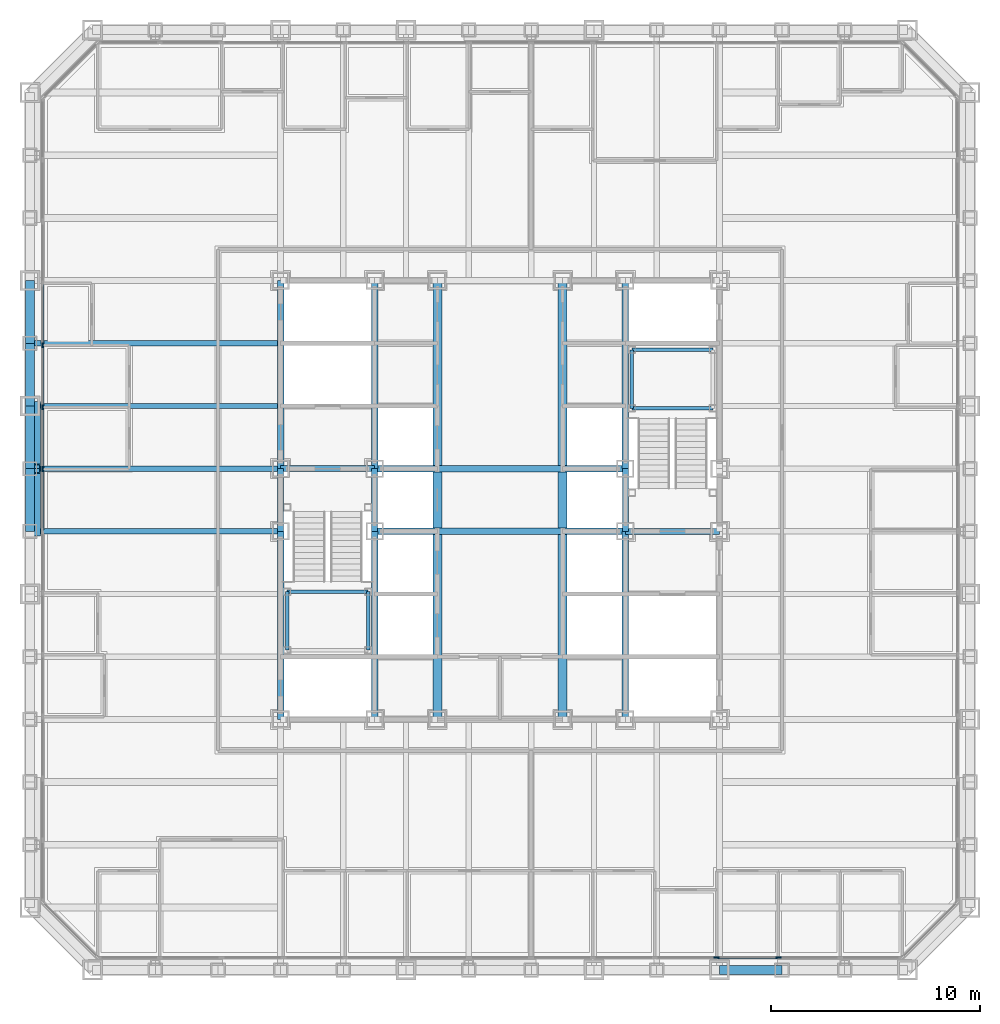
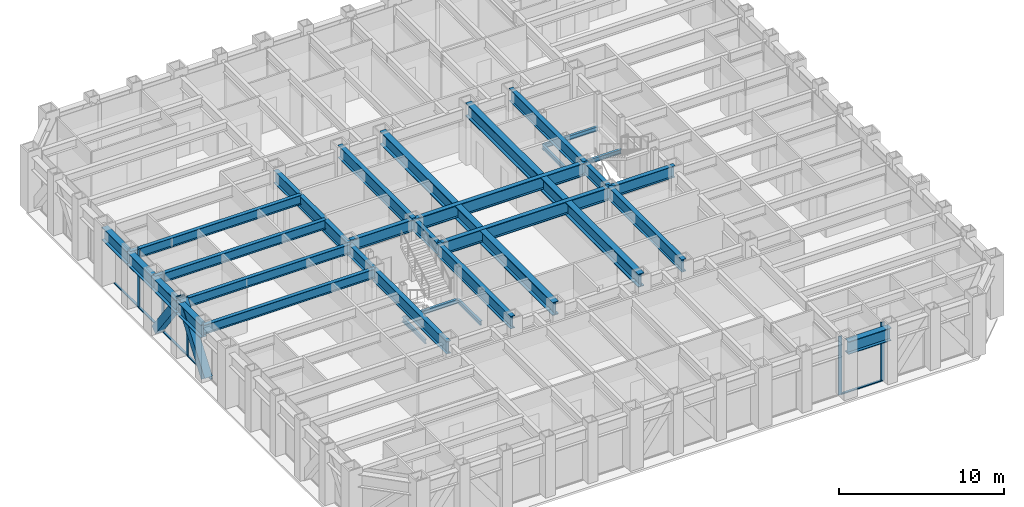
# One storey, part 3 of 16: 34 beams, 12 members, 2 elements without a shape of their own.
"""IFC4 building model written with IfcOpenShell, lengths in metres."""

from ifc_helpers import new_model, si_unit, direction, frame, origin, origin_2d, place, context, subcontext, project, spatial, rectangle, hollow_rectangle, i_section, extrude, material, layer, layer_set, material_profile, profile_set, type_object, element, aggregate, save


model = new_model("IFC4")

# Units and contexts
model_context = context("Model", 3, precision=1e-05, world=origin(), true_north=direction((0.0, 1.0)))
body_context = subcontext(model_context, "Body", "Model", "MODEL_VIEW")
ifc_project = project(units=[si_unit("LENGTHUNIT", "METRE"), si_unit("AREAUNIT", "SQUARE_METRE"), si_unit("VOLUMEUNIT", "CUBIC_METRE"), si_unit("PLANEANGLEUNIT", "RADIAN"), si_unit("MASSUNIT", "GRAM", prefix="KILO")], contexts=[model_context])

# Site, building, storey
site_placement = place(None, origin())
site = spatial("IfcSite", under=ifc_project, at=site_placement, CompositionType="ELEMENT")
building_placement = place(site_placement, origin())
building = spatial("IfcBuilding", under=site, at=building_placement, Name="Chuquiago Exchange Tower", CompositionType="ELEMENT")
storey_placement = place(building_placement, frame((0.0, 0.0, 55.800048828125)))
storey = spatial("IfcBuildingStorey", under=building, at=storey_placement, Name="L11", CompositionType="ELEMENT", Elevation=55.800048828125)

# Beams
ifc_material_1 = material(Name="Steel ASTM A992", Category="steel")
ifc_material_profile_1 = material_profile(ifc_material_1, i_section(OverallWidth=0.307373046875, OverallDepth=0.927001953125, WebThickness=0.01953125, FlangeThickness=0.031982421875, at=origin_2d()), Name="W36X194")
ifc_profile_set_1 = profile_set([ifc_material_profile_1], Name="Steel ASTM A992")
beam_type_1 = type_object("IfcBeamType", Name="B10 W36X194", PredefinedType="BEAM", material=ifc_profile_set_1)
for number, where, z_axis, x_axis, name in (
    (1, (12.0, 12.0, 3.576416015625), (0.0, 1.0, 0.0), (-1.0, 0.0, 0.0), "CB-L12-12_12-12_21"),
    (2, (12.0, 24.0, 3.576416015625), (0.0, 1.0, 0.0), (-1.0, 0.0, 0.0), "CB-L12-12_24-12_33"),
    (3, (16.5, 12.0, 3.87646484375), (0.0, 1.0, 0.0), (-1.0, 0.0, 0.0), "CB-L12-16.5_12-16.5_21"),
    (4, (16.5, 24.0, 3.87646484375), (0.0, 1.0, 0.0), (-1.0, 0.0, 0.0), "CB-L12-16.5_24-16.5_33"),
    (5, (28.5, 12.0, 3.87646484375), (0.0, 1.0, 0.0), (-1.0, 0.0, 0.0), "CB-L12-28.5_12-28.5_21"),
    (6, (28.5, 24.0, 3.87646484375), (0.0, 1.0, 0.0), (-1.0, 0.0, 0.0), "CB-L12-28.5_24-28.5_33"),
):
    element("IfcBeam", number, at=place(storey_placement, frame(where, z_axis=z_axis, x_axis=x_axis)), inside=storey, type_object=beam_type_1, Name=name, PredefinedType="BEAM", context=body_context, shape_type="SweptSolid", body=[
        extrude(i_section(OverallWidth=0.307373046875, OverallDepth=0.927001953125, WebThickness=0.01953125, FlangeThickness=0.031982421875, at=origin_2d()), origin(), (0.0, 0.0, 1.0), 9.0),
    ])
ifc_material_2 = material(Name="Steel ASTM A992", Category="steel")
ifc_material_profile_2 = material_profile(ifc_material_2, i_section(OverallWidth=0.309814453125, OverallDepth=0.949951171875, WebThickness=0.0244140625, FlangeThickness=0.0439453125, at=origin_2d()), Name="W36X256")
ifc_profile_set_2 = profile_set([ifc_material_profile_2], Name="Steel ASTM A992")
beam_type_2 = type_object("IfcBeamType", Name="B11 W36X256", PredefinedType="BEAM", material=ifc_profile_set_2)
for number, where, z_axis, x_axis, name in (
    (7, (16.5, 21.0, 3.864990234375), (1.0, 0.0, 0.0), (0.0, 1.0, 0.0), "CB-L12-16.5_21-28.5_21"),
    (8, (16.5, 24.0, 3.864990234375), (1.0, 0.0, 0.0), (0.0, 1.0, 0.0), "CB-L12-16.5_24-28.5_24"),
):
    element("IfcBeam", number, at=place(storey_placement, frame(where, z_axis=z_axis, x_axis=x_axis)), inside=storey, type_object=beam_type_2, Name=name, PredefinedType="BEAM", context=body_context, shape_type="SweptSolid", body=[
        extrude(i_section(OverallWidth=0.309814453125, OverallDepth=0.949951171875, WebThickness=0.0244140625, FlangeThickness=0.0439453125, at=origin_2d()), origin(), (0.0, 0.0, 1.0), 12.0),
    ])
ifc_material_3 = material(Name="Steel ASTM A992", Category="steel")
ifc_material_profile_3 = material_profile(ifc_material_3, i_section(OverallWidth=0.4267578125, OverallDepth=0.975341796875, WebThickness=0.031005859375, FlangeThickness=0.055908203125, at=origin_2d()), Name="W36X395")
ifc_profile_set_3 = profile_set([ifc_material_profile_3], Name="Steel ASTM A992")
beam_type_3 = type_object("IfcBeamType", Name="B12 W36X395", PredefinedType="BEAM", material=ifc_profile_set_3)
beam_1_placement = place(storey_placement, frame((19.5, 12.0, 3.852294921875), z_axis=(0.0, 1.0, 0.0), x_axis=(-1.0, 0.0, 0.0)))
element("IfcBeam", 9, at=beam_1_placement, inside=storey, type_object=beam_type_3, Name="CB-L12-19.5_12-19.5_20.8451", PredefinedType="BEAM", context=body_context, shape_type="SweptSolid", body=[
    extrude(i_section(OverallWidth=0.4267578125, OverallDepth=0.975341796875, WebThickness=0.031005859375, FlangeThickness=0.055908203125, at=origin_2d()), origin(), (0.0, 0.0, 1.0), 8.84521484375),
])
beam_2_placement = place(storey_placement, frame((19.5, 21.15478515625, 3.852294921875), z_axis=(0.0, 1.0, 0.0), x_axis=(-1.0, 0.0, 0.0)))
element("IfcBeam", 10, at=beam_2_placement, inside=storey, type_object=beam_type_3, Name="CB-L12-19.5_21.1549-19.5_23.8451", PredefinedType="BEAM", context=body_context, shape_type="SweptSolid", body=[
    extrude(i_section(OverallWidth=0.4267578125, OverallDepth=0.975341796875, WebThickness=0.031005859375, FlangeThickness=0.055908203125, at=origin_2d()), origin(), (0.0, 0.0, 1.0), 2.6904296875),
])
for number, where, z_axis, x_axis, name in (
    (11, (19.5, 24.15478515625, 3.852294921875), (0.0, 1.0, 0.0), (-1.0, 0.0, 0.0), "CB-L12-19.5_24.1549-19.5_33"),
    (12, (25.5, 12.0, 3.852294921875), (0.0, 1.0, 0.0), (-1.0, 0.0, 0.0), "CB-L12-25.5_12-25.5_20.8451"),
):
    element("IfcBeam", number, at=place(storey_placement, frame(where, z_axis=z_axis, x_axis=x_axis)), inside=storey, type_object=beam_type_3, Name=name, PredefinedType="BEAM", context=body_context, shape_type="SweptSolid", body=[
        extrude(i_section(OverallWidth=0.4267578125, OverallDepth=0.975341796875, WebThickness=0.031005859375, FlangeThickness=0.055908203125, at=origin_2d()), origin(), (0.0, 0.0, 1.0), 8.84521484375),
    ])
beam_3_placement = place(storey_placement, frame((25.5, 21.15478515625, 3.852294921875), z_axis=(0.0, 1.0, 0.0), x_axis=(-1.0, 0.0, 0.0)))
element("IfcBeam", 13, at=beam_3_placement, inside=storey, type_object=beam_type_3, Name="CB-L12-25.5_21.1549-25.5_23.8451", PredefinedType="BEAM", context=body_context, shape_type="SweptSolid", body=[
    extrude(i_section(OverallWidth=0.4267578125, OverallDepth=0.975341796875, WebThickness=0.031005859375, FlangeThickness=0.055908203125, at=origin_2d()), origin(), (0.0, 0.0, 1.0), 2.6904296875),
])
beam_4_placement = place(storey_placement, frame((25.5, 24.15478515625, 3.852294921875), z_axis=(0.0, 1.0, 0.0), x_axis=(-1.0, 0.0, 0.0)))
element("IfcBeam", 14, at=beam_4_placement, inside=storey, type_object=beam_type_3, Name="CB-L12-25.5_24.1549-25.5_33", PredefinedType="BEAM", context=body_context, shape_type="SweptSolid", body=[
    extrude(i_section(OverallWidth=0.4267578125, OverallDepth=0.975341796875, WebThickness=0.031005859375, FlangeThickness=0.055908203125, at=origin_2d()), origin(), (0.0, 0.0, 1.0), 8.84521484375),
])
ifc_material_4 = material(Name="Steel ASTM A992", Category="steel")
ifc_material_profile_4 = material_profile(ifc_material_4, i_section(OverallWidth=0.2919921875, OverallDepth=0.8583984375, WebThickness=0.01708984375, FlangeThickness=0.031005859375, at=origin_2d()), Name="W33X169")
ifc_profile_set_4 = profile_set([ifc_material_profile_4], Name="Steel ASTM A992")
beam_type_4 = type_object("IfcBeamType", Name="B3 W33X169", PredefinedType="BEAM", material=ifc_profile_set_4)
for number, where, z_axis, x_axis, name in (
    (15, (12.0, 21.0, 3.610595703125), (0.0, 1.0, 0.0), (-1.0, 0.0, 0.0), "CB-L12-12_21-12_24"),
    (16, (16.5, 21.0, 3.91064453125), (0.0, 1.0, 0.0), (-1.0, 0.0, 0.0), "CB-L12-16.5_21-16.5_24"),
    (17, (28.5, 21.0, 3.91064453125), (0.0, 1.0, 0.0), (-1.0, 0.0, 0.0), "CB-L12-28.5_21-28.5_24"),
):
    element("IfcBeam", number, at=place(storey_placement, frame(where, z_axis=z_axis, x_axis=x_axis)), inside=storey, type_object=beam_type_4, Name=name, PredefinedType="BEAM", context=body_context, shape_type="SweptSolid", body=[
        extrude(i_section(OverallWidth=0.2919921875, OverallDepth=0.8583984375, WebThickness=0.01708984375, FlangeThickness=0.031005859375, at=origin_2d()), origin(), (0.0, 0.0, 1.0), 3.0),
    ])
for number, where, z_axis, x_axis, name in (
    (18, (28.5, 21.0, 3.91064453125), (1.0, 0.0, 0.0), (0.0, 1.0, 0.0), "CB-L12-28.5_21-33_21"),
    (19, (12.0, 24.0, 3.91064453125), (1.0, 0.0, 0.0), (0.0, 1.0, 0.0), "CB-L12-12_24-16.5_24"),
):
    element("IfcBeam", number, at=place(storey_placement, frame(where, z_axis=z_axis, x_axis=x_axis)), inside=storey, type_object=beam_type_4, Name=name, PredefinedType="BEAM", context=body_context, shape_type="SweptSolid", body=[
        extrude(i_section(OverallWidth=0.2919921875, OverallDepth=0.8583984375, WebThickness=0.01708984375, FlangeThickness=0.031005859375, at=origin_2d()), origin(), (0.0, 0.0, 1.0), 4.5),
    ])
ifc_material_5 = material(Name="Steel ASTM A992", Category="steel")
ifc_material_profile_5 = material_profile(ifc_material_5, i_section(OverallWidth=0.256591796875, OverallDepth=0.693359375, WebThickness=0.014404296875, FlangeThickness=0.023681640625, at=origin_2d()), Name="W27X114")
ifc_profile_set_5 = profile_set([ifc_material_profile_5], Name="Steel ASTM A992")
beam_type_5 = type_object("IfcBeamType", Name="B4 W27X114", PredefinedType="BEAM", material=ifc_profile_set_5)
for number, where, z_axis, x_axis, name in (
    (20, (12.0, 21.0, 3.693359375), (-1.0, 0.0, 0.0), (0.0, -1.0, 0.0), "FB-L12-infill-12_21--0_21-0"),
    (21, (12.0, 24.0, 3.693359375), (-1.0, 0.0, 0.0), (0.0, -1.0, 0.0), "FB-L12-infill-12_24--0_24-0"),
    (22, (12.0, 27.0, 3.693359375), (-1.0, 0.0, 0.0), (0.0, -1.0, 0.0), "FB-L12-infill-12_27--0_27-0"),
    (23, (12.0, 30.0, 3.693359375), (-1.0, 0.0, 0.0), (0.0, -1.0, 0.0), "FB-L12-infill-12_30--0_30-0"),
):
    element("IfcBeam", number, at=place(storey_placement, frame(where, z_axis=z_axis, x_axis=x_axis)), inside=storey, type_object=beam_type_5, Name=name, PredefinedType="BEAM", context=body_context, shape_type="SweptSolid", body=[
        extrude(i_section(OverallWidth=0.256591796875, OverallDepth=0.693359375, WebThickness=0.014404296875, FlangeThickness=0.023681640625, at=origin_2d()), origin(), (0.0, 0.0, 1.0), 12.0),
    ])

# Curtain wall, members
ifc_material_6 = material(Name="Aluminium curtain wall system", Category="aluminium")
ifc_layer = layer(ifc_material_6, 0.25)
ifc_layer_set = layer_set([ifc_layer], Name="CW1 trading floor curtain wall")
curtain_wall_type = type_object("IfcCurtainWallType", Name="CW1 trading floor curtain wall", PredefinedType="NOTDEFINED", material=ifc_layer_set)
curtain_wall_1_placement = place(storey_placement, origin())
curtain_wall_1 = element("IfcCurtainWall", 24, at=curtain_wall_1_placement, inside=storey, type_object=curtain_wall_type, Name="CW1 curtain wall L11", PredefinedType="NOTDEFINED")
ifc_material_7 = material(Name="Aluminium mullion, pale anodised", Category="aluminium")
ifc_material_profile_6 = material_profile(ifc_material_7, rectangle(XDim=0.074951171875, YDim=0.25, at=origin_2d()), Name="AL 75x250")
ifc_profile_set_6 = profile_set([ifc_material_profile_6], Name="Aluminium mullion, pale anodised")
member_type_1 = type_object("IfcMemberType", Name="CW1-M mullion 75x250", PredefinedType="MULLION", material=ifc_profile_set_6)
member_1_placement = place(storey_placement, frame((32.8662109375, 0.60009765625, -0.300048828125), z_axis=(0.0, 0.0, 1.0), x_axis=(0.0, 1.0, 0.0)))
member_1 = element("IfcMember", 25, at=member_1_placement, type_object=member_type_1, Name="CW1 mullion 11", PredefinedType="MULLION", context=body_context, shape_type="SweptSolid", body=[
    extrude(rectangle(XDim=0.074951171875, YDim=0.25, at=origin_2d()), origin(), (0.0, 0.0, 1.0), 4.340087890625),
])
member_2_placement = place(storey_placement, frame((35.827880859375, 0.60009765625, -0.300048828125), z_axis=(0.0, 0.0, 1.0), x_axis=(0.0, 1.0, 0.0)))
member_2 = element("IfcMember", 26, at=member_2_placement, type_object=member_type_1, Name="CW1 mullion 12", PredefinedType="MULLION", context=body_context, shape_type="SweptSolid", body=[
    extrude(rectangle(XDim=0.074951171875, YDim=0.25, at=origin_2d()), origin(), (0.0, 0.0, 1.0), 4.340087890625),
])

curtain_wall_2_placement = place(storey_placement, origin())
curtain_wall_2 = element("IfcCurtainWall", 27, at=curtain_wall_2_placement, inside=storey, type_object=curtain_wall_type, Name="CW1 curtain wall L11", PredefinedType="NOTDEFINED")
member_3_placement = place(storey_placement, frame((0.60009765625, 29.904541015625, -0.300048828125), z_axis=(0.0, 0.0, 1.0), x_axis=(1.0, 0.0, 0.0)))
member_3 = element("IfcMember", 28, at=member_3_placement, type_object=member_type_1, Name="CW1 mullion 5", PredefinedType="MULLION", context=body_context, shape_type="SweptSolid", body=[
    extrude(rectangle(XDim=0.074951171875, YDim=0.25, at=origin_2d()), origin(), (0.0, 0.0, 1.0), 4.340087890625),
])
member_4_placement = place(storey_placement, frame((0.60009765625, 26.942626953125, -0.300048828125), z_axis=(0.0, 0.0, 1.0), x_axis=(1.0, 0.0, 0.0)))
member_4 = element("IfcMember", 29, at=member_4_placement, type_object=member_type_1, Name="CW1 mullion 6", PredefinedType="MULLION", context=body_context, shape_type="SweptSolid", body=[
    extrude(rectangle(XDim=0.074951171875, YDim=0.25, at=origin_2d()), origin(), (0.0, 0.0, 1.0), 4.340087890625),
])
member_5_placement = place(storey_placement, frame((0.60009765625, 23.98095703125, -0.300048828125), z_axis=(0.0, 0.0, 1.0), x_axis=(1.0, 0.0, 0.0)))
member_5 = element("IfcMember", 30, at=member_5_placement, type_object=member_type_1, Name="CW1 mullion 7", PredefinedType="MULLION", context=body_context, shape_type="SweptSolid", body=[
    extrude(rectangle(XDim=0.074951171875, YDim=0.25, at=origin_2d()), origin(), (0.0, 0.0, 1.0), 4.340087890625),
])

# Member
ifc_material_8 = material(Name="Aluminium transom, pale anodised", Category="aluminium")
ifc_material_profile_7 = material_profile(ifc_material_8, rectangle(XDim=0.14990234375, YDim=0.074951171875, at=origin_2d()), Name="AL 150x75")
ifc_profile_set_7 = profile_set([ifc_material_profile_7], Name="Aluminium transom, pale anodised")
member_type_2 = type_object("IfcMemberType", Name="CW1-T transom 75x150", PredefinedType="MULLION", material=ifc_profile_set_7)
member_6_placement = place(storey_placement, frame((32.90380859375, 0.60009765625, -0.262451171875), z_axis=(1.0, 0.0, 0.0), x_axis=(0.0, 1.0, 0.0)))
member_6 = element("IfcMember", 31, at=member_6_placement, type_object=member_type_2, Name="CW1 transom 11.1", PredefinedType="MULLION", context=body_context, shape_type="SweptSolid", body=[
    extrude(rectangle(XDim=0.14990234375, YDim=0.074951171875, at=origin_2d()), origin(), (0.0, 0.0, 1.0), 2.88671875),
])

aggregate(curtain_wall_1, [member_1, member_2, member_6])

member_7_placement = place(storey_placement, frame((0.60009765625, 32.82861328125, -0.262451171875), z_axis=(0.0, -1.0, 0.0), x_axis=(1.0, 0.0, 0.0)))
member_7 = element("IfcMember", 32, at=member_7_placement, type_object=member_type_2, Name="CW1 transom 4.1", PredefinedType="MULLION", context=body_context, shape_type="SweptSolid", body=[
    extrude(rectangle(XDim=0.14990234375, YDim=0.074951171875, at=origin_2d()), origin(), (0.0, 0.0, 1.0), 2.88671875),
])

member_8_placement = place(storey_placement, frame((0.60009765625, 29.866943359375, -0.262451171875), z_axis=(0.0, -1.0, 0.0), x_axis=(1.0, 0.0, 0.0)))
member_8 = element("IfcMember", 33, at=member_8_placement, type_object=member_type_2, Name="CW1 transom 5.1", PredefinedType="MULLION", context=body_context, shape_type="SweptSolid", body=[
    extrude(rectangle(XDim=0.14990234375, YDim=0.074951171875, at=origin_2d()), origin(), (0.0, 0.0, 1.0), 2.88671875),
])

member_9_placement = place(storey_placement, frame((0.60009765625, 26.9052734375, -0.262451171875), z_axis=(0.0, -1.0, 0.0), x_axis=(1.0, 0.0, 0.0)))
member_9 = element("IfcMember", 34, at=member_9_placement, type_object=member_type_2, Name="CW1 transom 6.1", PredefinedType="MULLION", context=body_context, shape_type="SweptSolid", body=[
    extrude(rectangle(XDim=0.14990234375, YDim=0.074951171875, at=origin_2d()), origin(), (0.0, 0.0, 1.0), 2.886962890625),
])

member_10_placement = place(storey_placement, frame((0.60009765625, 23.943359375, -0.262451171875), z_axis=(0.0, -1.0, 0.0), x_axis=(1.0, 0.0, 0.0)))
member_10 = element("IfcMember", 35, at=member_10_placement, type_object=member_type_2, Name="CW1 transom 7.1", PredefinedType="MULLION", context=body_context, shape_type="SweptSolid", body=[
    extrude(rectangle(XDim=0.14990234375, YDim=0.074951171875, at=origin_2d()), origin(), (0.0, 0.0, 1.0), 2.88671875),
])

aggregate(curtain_wall_2, [member_3, member_4, member_5, member_7, member_8, member_9, member_10])

# Beams
ifc_material_9 = material(Name="Steel ASTM A992", Category="steel")
ifc_material_profile_8 = material_profile(ifc_material_9, i_section(OverallWidth=0.164794921875, OverallDepth=0.309814453125, WebThickness=0.005859375, FlangeThickness=0.009765625, at=origin_2d()), Name="W12X26")
ifc_profile_set_8 = profile_set([ifc_material_profile_8], Name="Steel ASTM A992")
beam_type_6 = type_object("IfcBeamType", Name="LS1 W12X26", PredefinedType="BEAM", material=ifc_profile_set_8)
for number, where, z_axis, x_axis, name in (
    (36, (12.31005859375, 15.31005859375, 1.89501953125), (0.0, 1.0, 0.0), (-1.0, 0.0, 0.0), "Stair ST1 L11 landing 1 stringer"),
    (37, (16.18994140625, 15.31005859375, 1.89501953125), (0.0, 1.0, 0.0), (-1.0, 0.0, 0.0), "Stair ST1 L11 landing 1 stringer"),
    (38, (28.81005859375, 26.889892578125, 1.89501953125), (0.0, 1.0, 0.0), (-1.0, 0.0, 0.0), "Stair ST2 L11 landing 1 stringer"),
):
    element("IfcBeam", number, at=place(storey_placement, frame(where, z_axis=z_axis, x_axis=x_axis)), inside=storey, type_object=beam_type_6, Name=name, PredefinedType="BEAM", context=body_context, shape_type="SweptSolid", body=[
        extrude(i_section(OverallWidth=0.164794921875, OverallDepth=0.309814453125, WebThickness=0.005859375, FlangeThickness=0.009765625, at=origin_2d()), origin(), (0.0, 0.0, 1.0), 2.800048828125),
    ])
ifc_material_10 = material(Name="Steel ASTM A992", Category="steel")
ifc_material_profile_9 = material_profile(ifc_material_10, i_section(OverallWidth=0.164794921875, OverallDepth=0.309814453125, WebThickness=0.005859375, FlangeThickness=0.009765625, at=origin_2d()), Name="W12X26")
ifc_profile_set_9 = profile_set([ifc_material_profile_9], Name="Steel ASTM A992")
beam_type_7 = type_object("IfcBeamType", Name="LT1 W12X26", PredefinedType="BEAM", material=ifc_profile_set_9)
for number, where, z_axis, x_axis, name in (
    (39, (12.31005859375, 18.110107421875, 1.89501953125), (1.0, 0.0, 0.0), (0.0, 1.0, 0.0), "Stair ST1 L11 landing 1 trimmer"),
    (40, (28.81005859375, 29.68994140625, 1.89501953125), (1.0, 0.0, 0.0), (0.0, 1.0, 0.0), "Stair ST2 L11 landing 1 trimmer"),
    (41, (28.81005859375, 26.889892578125, 1.89501953125), (1.0, 0.0, 0.0), (0.0, 1.0, 0.0), "Stair ST2 L11 landing 1 trimmer"),
):
    element("IfcBeam", number, at=place(storey_placement, frame(where, z_axis=z_axis, x_axis=x_axis)), inside=storey, type_object=beam_type_7, Name=name, PredefinedType="BEAM", context=body_context, shape_type="SweptSolid", body=[
        extrude(i_section(OverallWidth=0.164794921875, OverallDepth=0.309814453125, WebThickness=0.005859375, FlangeThickness=0.009765625, at=origin_2d()), origin(), (0.0, 0.0, 1.0), 3.8798828125),
    ])

# Members
ifc_material_11 = material(Name="Steel ASTM A572 Grade 50", Category="steel")
ifc_material_profile_10 = material_profile(ifc_material_11, hollow_rectangle(XDim=0.550048828125, YDim=0.550048828125, WallThickness=0.044921875, at=origin_2d()), Name="BOX550X550X45")
ifc_profile_set_10 = profile_set([ifc_material_profile_10], Name="Steel ASTM A572 Grade 50")
member_type_3 = type_object("IfcMemberType", Name="MB1 BOX550X550X45", PredefinedType="BRACE", material=ifc_profile_set_10)
for number, where, z_axis, x_axis, name in (
    (42, (0.22998046875, 27.0, 0.0), (0.0, -0.596173923302, 0.802855312728), (1.0, 0.0, 0.0), "Mega diagonal L11 W face"),
    (43, (0.22998046875, 21.0, 0.0), (0.0, 0.596173923302, 0.802855312728), (-1.0, 0.0, 0.0), "Mega diagonal L11 W face"),
):
    element("IfcMember", number, at=place(storey_placement, frame(where, z_axis=z_axis, x_axis=x_axis)), inside=storey, type_object=member_type_3, Name=name, PredefinedType="BRACE", context=body_context, shape_type="SweptSolid", body=[
        extrude(hollow_rectangle(XDim=0.550048828125, YDim=0.550048828125, WallThickness=0.044921875, at=origin_2d()), origin(), (0.0, 0.0, 1.0), 5.031982421875),
    ])

# Beams
ifc_material_12 = material(Name="Steel ASTM A992", Category="steel")
ifc_material_profile_11 = material_profile(ifc_material_12, i_section(OverallWidth=0.424072265625, OverallDepth=0.947509765625, WebThickness=0.02392578125, FlangeThickness=0.042724609375, at=origin_2d()), Name="W36X302")
ifc_profile_set_11 = profile_set([ifc_material_profile_11], Name="Steel ASTM A992")
beam_type_8 = type_object("IfcBeamType", Name="SP1 W36X302", PredefinedType="SPANDREL", material=ifc_profile_set_11)
for number, where, z_axis, x_axis, name in (
    (44, (33.0, 0.0, 3.566162109375), (1.0, 0.0, 0.0), (0.0, 1.0, 0.0), "SPB-L12-33_0-36_0"),
    (45, (0.0, 33.0, 3.566162109375), (0.0, -1.0, 0.0), (1.0, 0.0, 0.0), "SPB-L12-0_33-0_30"),
    (46, (0.0, 30.0, 3.566162109375), (0.0, -1.0, 0.0), (1.0, 0.0, 0.0), "SPB-L12-0_30-0_27"),
    (47, (0.0, 27.0, 3.566162109375), (0.0, -1.0, 0.0), (1.0, 0.0, 0.0), "SPB-L12-0_27-0_24"),
    (48, (0.0, 24.0, 3.566162109375), (0.0, -1.0, 0.0), (1.0, 0.0, 0.0), "SPB-L12-0_24-0_21"),
):
    element("IfcBeam", number, at=place(storey_placement, frame(where, z_axis=z_axis, x_axis=x_axis)), inside=storey, type_object=beam_type_8, Name=name, PredefinedType="SPANDREL", context=body_context, shape_type="SweptSolid", body=[
        extrude(i_section(OverallWidth=0.424072265625, OverallDepth=0.947509765625, WebThickness=0.02392578125, FlangeThickness=0.042724609375, at=origin_2d()), origin(), (0.0, 0.0, 1.0), 3.0),
    ])

save(model, "model.ifc")
